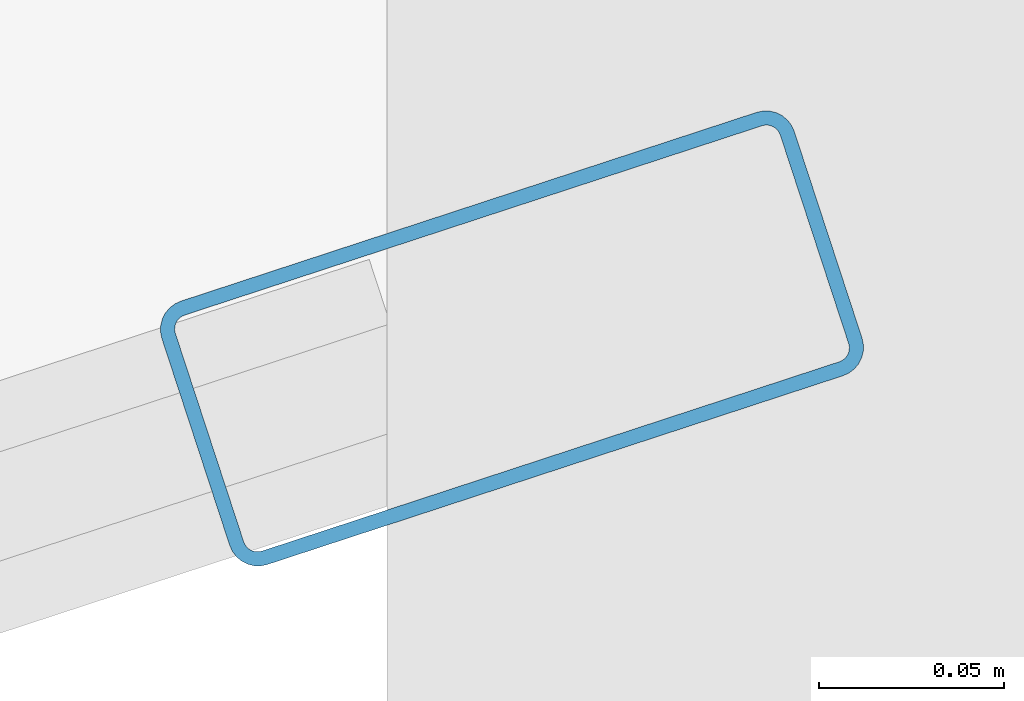
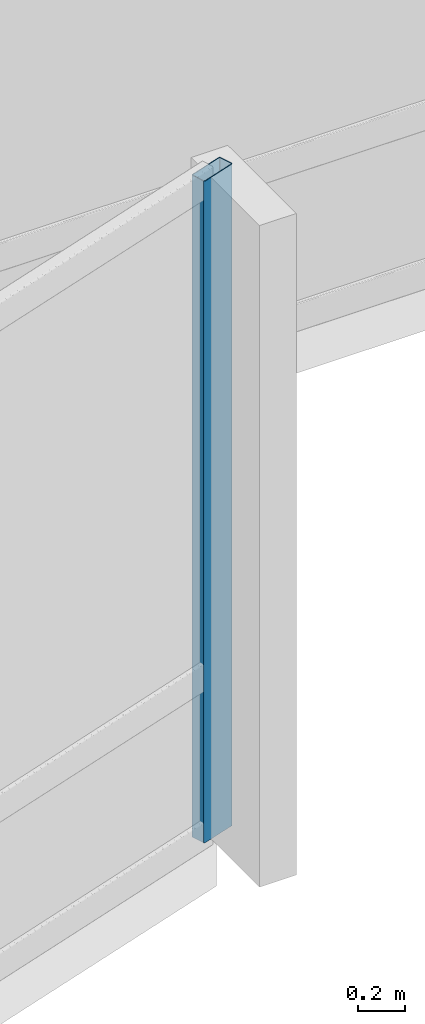
# One storey, part 10 of 34: 1 member, 1 element without a shape of its own.
"""IFC4 building model written with IfcOpenShell, lengths in metres."""

from ifc_helpers import new_model, si_unit, direction, frame, origin, origin_2d, place, context, subcontext, project, spatial, hollow_rectangle, extrude, material, layer, layer_set, material_profile, profile_set, type_object, element, aggregate, save


model = new_model("IFC4")

# Units and contexts
model_context = context("Model", 3, precision=1e-05, world=origin(), true_north=direction((0.0, 1.0)))
body_context = subcontext(model_context, "Body", "Model", "MODEL_VIEW")
ifc_project = project(units=[si_unit("LENGTHUNIT", "METRE"), si_unit("AREAUNIT", "SQUARE_METRE"), si_unit("VOLUMEUNIT", "CUBIC_METRE"), si_unit("PLANEANGLEUNIT", "RADIAN"), si_unit("MASSUNIT", "GRAM", prefix="KILO")], contexts=[model_context])

# Site, building, storey
site_placement = place(None, origin())
site = spatial("IfcSite", under=ifc_project, at=site_placement, CompositionType="ELEMENT")
building_placement = place(site_placement, origin())
building = spatial("IfcBuilding", under=site, at=building_placement, Name="Solvaryn Broadcast Tower", CompositionType="ELEMENT")
storey_placement = place(building_placement, frame((0.0, 0.0, 76.699951171875)))
storey = spatial("IfcBuildingStorey", under=building, at=storey_placement, Name="L18", CompositionType="ELEMENT", Elevation=76.699951171875)

# Curtain wall, member
ifc_material_1 = material(Name="Aluminium and Terracotta Unitised Curtain Wall", Category="masonry")
ifc_layer = layer(ifc_material_1, 0.199951171875)
ifc_layer_set = layer_set([ifc_layer], Name="CW-SYS2-LOWMID")
curtain_wall_type = type_object("IfcCurtainWallType", Name="CW-SYS2-LOWMID", PredefinedType="NOTDEFINED", material=ifc_layer_set)
curtain_wall_placement = place(storey_placement, origin())
curtain_wall = element("IfcCurtainWall", 1, at=curtain_wall_placement, inside=storey, type_object=curtain_wall_type, Name="L18 Curtain Wall DR4", PredefinedType="NOTDEFINED")
ifc_material_2 = material(Name="Anodised Aluminium 6063-T6", Category="aluminium")
ifc_material_profile = material_profile(ifc_material_2, hollow_rectangle(XDim=0.074951171875, YDim=0.179931640625, WallThickness=0.00390625, InnerFilletRadius=0.00390625, OuterFilletRadius=0.008056640625, at=origin_2d()))
ifc_profile_set = profile_set([ifc_material_profile], Name="Anodised Aluminium 6063-T6")
member_type = type_object("IfcMemberType", Name="CW-MUL-180", PredefinedType="MULLION", material=ifc_profile_set)
member_placement = place(storey_placement, frame((45.987548828125, 5.90673828125, 0.0), z_axis=(0.0, 0.0, 1.0), x_axis=(-0.311594044587, 0.950215318429, 0.0)))
member = element("IfcMember", 2, at=member_placement, type_object=member_type, Name="CWS2 mullion 2", PredefinedType="MULLION", context=body_context, shape_type="SweptSolid", body=[
    extrude(hollow_rectangle(XDim=0.074951171875, YDim=0.179931640625, WallThickness=0.00390625, InnerFilletRadius=0.00390625, OuterFilletRadius=0.008056640625, at=origin_2d()), origin(), (0.0, 0.0, 1.0), 3.420166015625),
])
aggregate(curtain_wall, [member])

save(model, "model.ifc")
